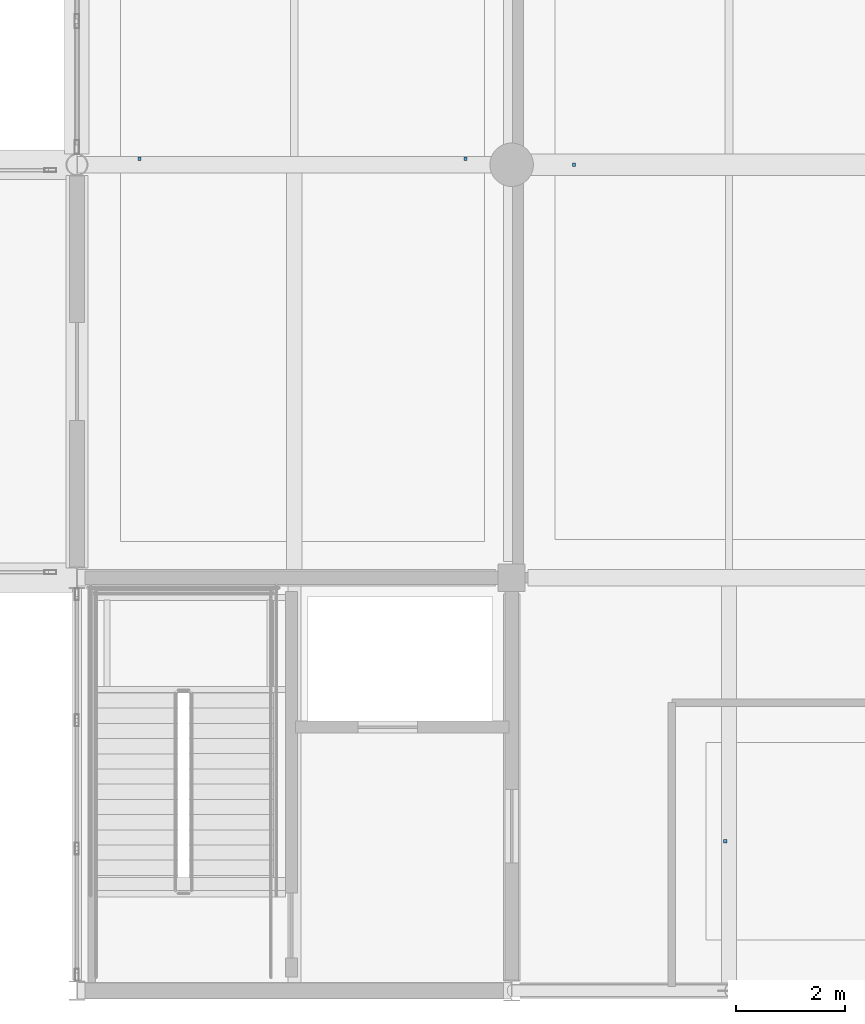
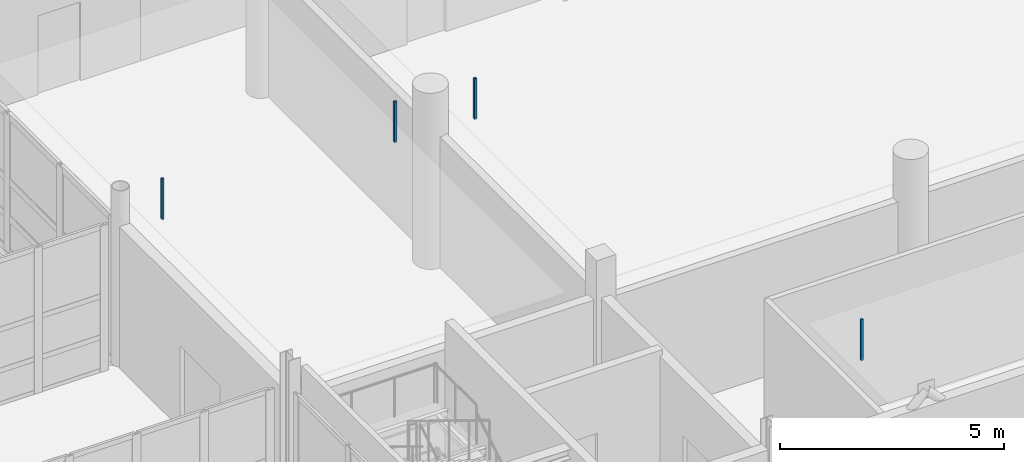
# One storey, part 114 of 141: 4 discrete accessories.
"""IFC4 building model written with IfcOpenShell, lengths in metres."""

from ifc_helpers import new_model, si_unit, direction, frame, origin, origin_2d, place, context, subcontext, project, spatial, rectangle, extrude, material, type_object, element, save


model = new_model("IFC4")

# Units and contexts
model_context = context("Model", 3, precision=1e-05, world=origin(), true_north=direction((0.0, 1.0)))
body_context = subcontext(model_context, "Body", "Model", "MODEL_VIEW")
ifc_project = project(units=[si_unit("LENGTHUNIT", "METRE"), si_unit("AREAUNIT", "SQUARE_METRE"), si_unit("VOLUMEUNIT", "CUBIC_METRE"), si_unit("PLANEANGLEUNIT", "RADIAN"), si_unit("MASSUNIT", "GRAM", prefix="KILO")], contexts=[model_context])

# Site, building, storey
site_placement = place(None, origin())
site = spatial("IfcSite", under=ifc_project, at=site_placement, CompositionType="ELEMENT")
building_placement = place(site_placement, origin())
building = spatial("IfcBuilding", under=site, at=building_placement, Name="Khelvaren Railside Concert Hall", CompositionType="ELEMENT")
storey_placement = place(building_placement, frame((0.0, 0.0, 10.199951171875)))
storey = spatial("IfcBuildingStorey", under=building, at=storey_placement, Name="L02", CompositionType="ELEMENT", Elevation=10.199951171875)

# Discrete accessories
ifc_material = material(Name="Galvanised steel acoustic ceiling hanger rod", Category="steel")
discrete_accessory_type = type_object("IfcDiscreteAccessoryType", Name="BRK62", PredefinedType="BRACKET", material=ifc_material)
for number, where, z_axis, x_axis, name in (
    (1, (145.14990234375, 15.31005859375, 3.43017578125), (0.0, 0.0, 1.0), (1.0, 0.0, 0.0), "Acoustic Ceiling Suspension Bracket 50-1"),
    (2, (151.14990234375, 15.31005859375, 3.43017578125), (0.0, 0.0, 1.0), (1.0, 0.0, 0.0), "Acoustic Ceiling Suspension Bracket 50-2"),
    (3, (153.14990234375, 15.199951171875, 3.43017578125), (0.0, 0.0, 1.0), (1.0, 0.0, 0.0), "Acoustic Ceiling Suspension Bracket 51-1"),
    (4, (155.929931640625, 2.75, 3.43017578125), (0.0, 0.0, 1.0), (1.0, 0.0, 0.0), "Acoustic Ceiling Suspension Bracket 53-1"),
):
    element("IfcDiscreteAccessory", number, at=place(storey_placement, frame(where, z_axis=z_axis, x_axis=x_axis)), inside=storey, type_object=discrete_accessory_type, Name=name, PredefinedType="BRACKET", context=body_context, shape_type="SweptSolid", body=[
        extrude(rectangle(XDim=0.06005859375, YDim=0.06005859375, at=origin_2d()), origin(), (0.0, 0.0, 1.0), 1.110107421875),
    ])

save(model, "model.ifc")
